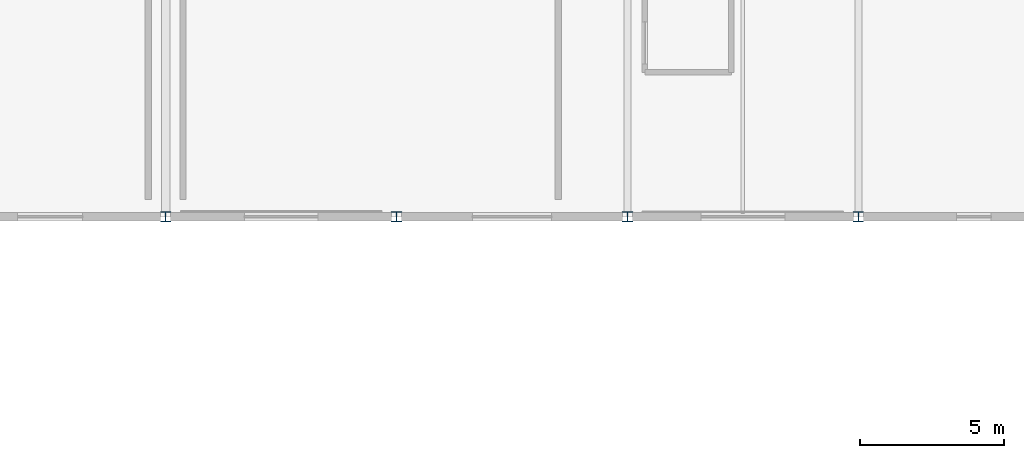
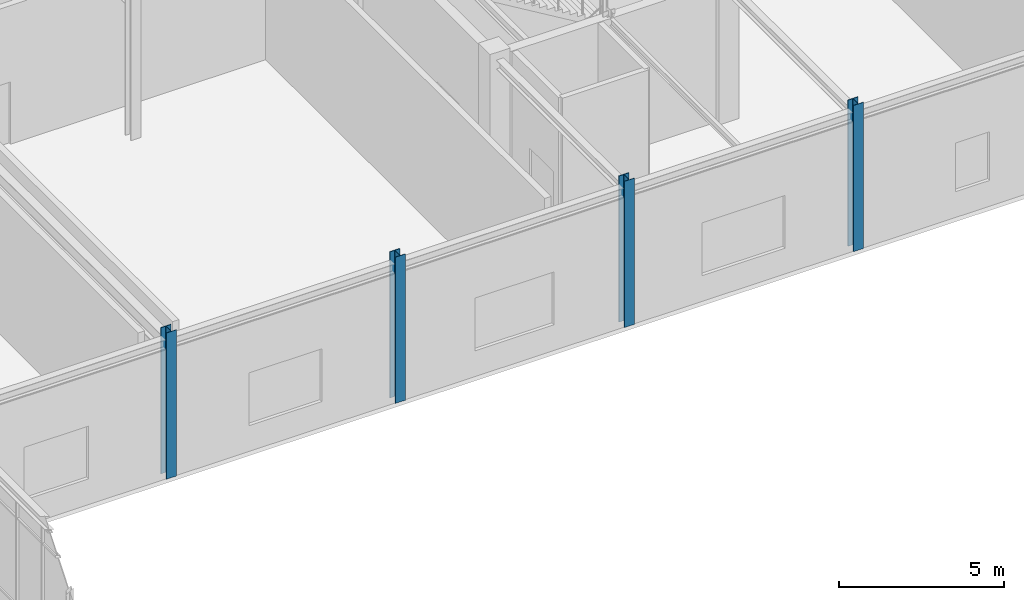
# One storey, part 7 of 108: 4 columns.
"""IFC4 building model written with IfcOpenShell, lengths in metres."""

from ifc_helpers import new_model, si_unit, direction, frame, origin, origin_2d, place, context, subcontext, project, spatial, i_section, extrude, material, material_profile, profile_set, type_object, element, save


model = new_model("IFC4")

# Units and contexts
model_context = context("Model", 3, precision=1e-05, world=origin(), true_north=direction((0.0, 1.0)))
body_context = subcontext(model_context, "Body", "Model", "MODEL_VIEW")
ifc_project = project(units=[si_unit("LENGTHUNIT", "METRE"), si_unit("AREAUNIT", "SQUARE_METRE"), si_unit("VOLUMEUNIT", "CUBIC_METRE"), si_unit("PLANEANGLEUNIT", "RADIAN"), si_unit("MASSUNIT", "GRAM", prefix="KILO")], contexts=[model_context])

# Site, building, storey
site_placement = place(None, origin())
site = spatial("IfcSite", under=ifc_project, at=site_placement, CompositionType="ELEMENT")
building_placement = place(site_placement, origin())
building = spatial("IfcBuilding", under=site, at=building_placement, Name="Zhaolan Boulevard Law Courts", CompositionType="ELEMENT")
storey_placement = place(building_placement, frame((0.0, 0.0, 10.800048828125)))
storey = spatial("IfcBuildingStorey", under=building, at=storey_placement, Name="L02", CompositionType="ELEMENT", Elevation=10.800048828125)

# Columns
ifc_material = material(Name="Structural steel Q355B", Category="steel")
ifc_material_profile = material_profile(ifc_material, i_section(OverallWidth=0.35009765625, OverallDepth=0.35009765625, WebThickness=0.011962890625, FlangeThickness=0.01904296875, FilletRadius=0.02001953125, at=origin_2d()), Name="HW350x350")
ifc_profile_set = profile_set([ifc_material_profile], Name="Structural steel Q355B")
column_type = type_object("IfcColumnType", Name="COL HW350", PredefinedType="COLUMN", material=ifc_profile_set)
for number, where, z_axis, x_axis, name in (
    (1, (68.0, 62.0, 0.0), (0.0, 0.0, 1.0), (1.0, 0.0, 0.0), "Column C-9J (L02)"),
    (2, (76.0, 62.0, 0.0), (0.0, 0.0, 1.0), (1.0, 0.0, 0.0), "Column C-10J (L02)"),
    (3, (84.0, 62.0, 0.0), (0.0, 0.0, 1.0), (1.0, 0.0, 0.0), "Column C-11J (L02)"),
    (4, (92.0, 62.0, 0.0), (0.0, 0.0, 1.0), (1.0, 0.0, 0.0), "Column C-12J (L02)"),
):
    element("IfcColumn", number, at=place(storey_placement, frame(where, z_axis=z_axis, x_axis=x_axis)), inside=storey, type_object=column_type, Name=name, PredefinedType="COLUMN", context=body_context, shape_type="SweptSolid", body=[
        extrude(i_section(OverallWidth=0.35009765625, OverallDepth=0.35009765625, WebThickness=0.011962890625, FlangeThickness=0.01904296875, FilletRadius=0.02001953125, at=origin_2d()), origin(), (0.0, 0.0, 1.0), 5.39990234375),
    ])

save(model, "model.ifc")
